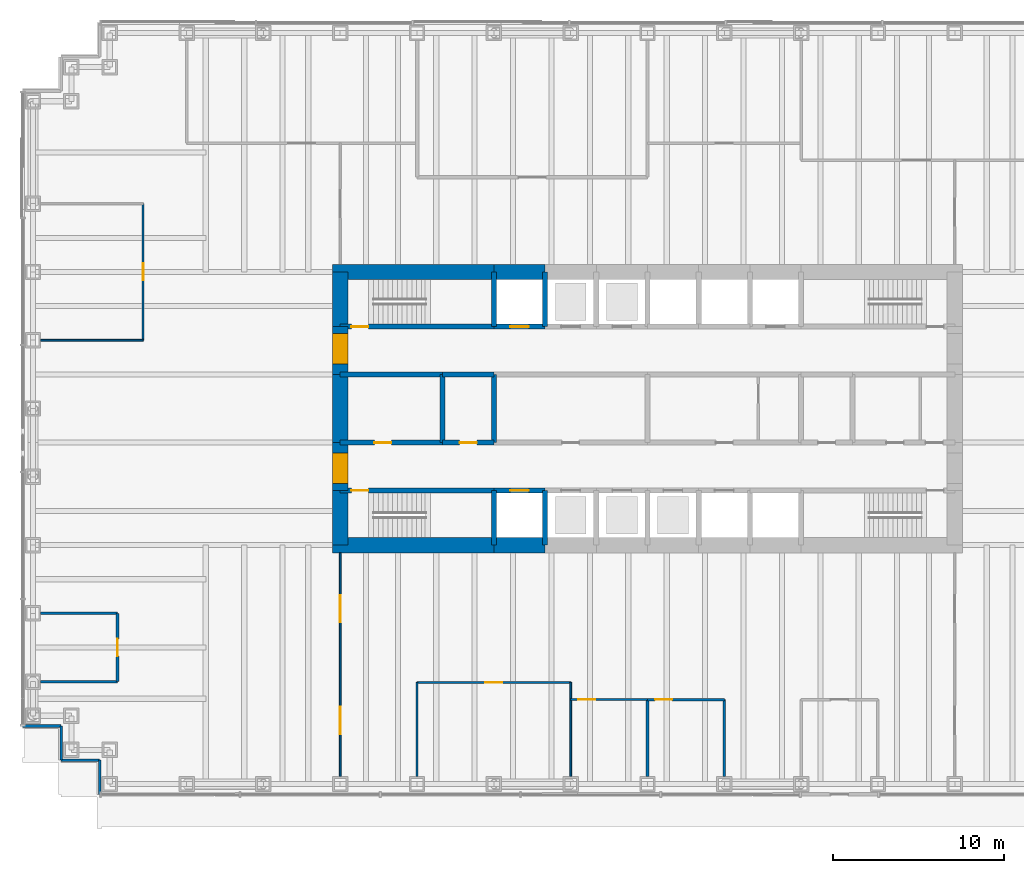
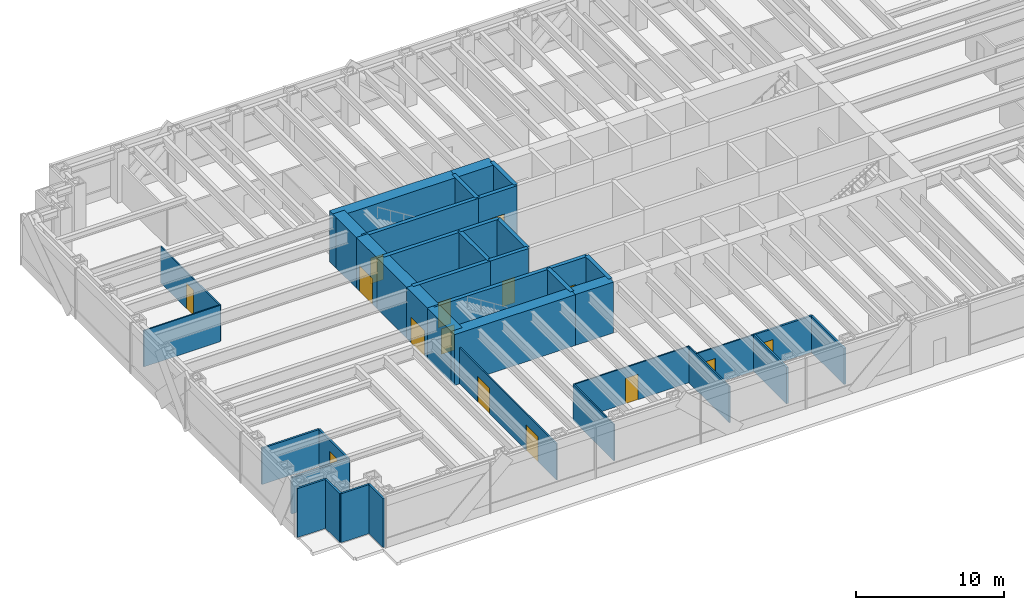
# One storey, part 9 of 14: 40 walls, 15 doors, 15 openings.
"""IFC4 building model written with IfcOpenShell, lengths in metres."""

from ifc_helpers import new_model, si_unit, direction, frame, frame_2d, origin, place, context, subcontext, project, spatial, rectangle, extrude, material, layer, layer_set, type_object, element, fill, save


model = new_model("IFC4")

# Units and contexts
model_context = context("Model", 3, precision=1e-05, world=origin(), true_north=direction((0.0, 1.0)))
body_context = subcontext(model_context, "Body", "Model", "MODEL_VIEW")
ifc_project = project(units=[si_unit("LENGTHUNIT", "METRE"), si_unit("AREAUNIT", "SQUARE_METRE"), si_unit("VOLUMEUNIT", "CUBIC_METRE"), si_unit("PLANEANGLEUNIT", "RADIAN"), si_unit("MASSUNIT", "GRAM", prefix="KILO")], contexts=[model_context])

# Site, building, storey
site_placement = place(None, origin())
site = spatial("IfcSite", under=ifc_project, at=site_placement, CompositionType="ELEMENT")
building_placement = place(site_placement, origin())
building = spatial("IfcBuilding", under=site, at=building_placement, Name="Rheinbord Bourse Tower", CompositionType="ELEMENT")
storey_placement = place(building_placement, frame((0.0, 0.0, 100.5)))
storey = spatial("IfcBuildingStorey", under=building, at=storey_placement, Name="L21", CompositionType="ELEMENT", Elevation=100.5)

# Wall, opening, door
ifc_material_1 = material(Name="Concrete C50/60", Category="concrete")
ifc_layer_1 = layer(ifc_material_1, 0.300048828125)
ifc_layer_set_1 = layer_set([ifc_layer_1], Name="CORE INNER WALL 300")
wall_type_1 = type_object("IfcWallType", Name="CORE INNER WALL 300", PredefinedType="SOLIDWALL", material=ifc_layer_set_1)
wall_1_placement = place(storey_placement, frame((18.0, 19.199951171875, 0.0), z_axis=(0.0, 0.0, 1.0), x_axis=(1.0, 0.0, 0.0)))
wall_1 = element("IfcWall", 1, at=wall_1_placement, inside=storey, type_object=wall_type_1, Name="Core wall A1 L21", PredefinedType="SOLIDWALL", context=body_context, shape_type="SweptSolid", body=[
    extrude(rectangle(XDim=9.0, YDim=0.300048828125, at=frame_2d((4.5, 0.0))), origin(), (0.0, 0.0, 1.0), 4.199951171875),
])
opening_1_placement = place(wall_1_placement, frame((0.64990234375, 0.0, 0.0)))
opening_1 = element("IfcOpeningElement", 2, at=opening_1_placement, cuts=wall_1, Name="Opening 2110", PredefinedType="OPENING", context=body_context, shape_type="SweptSolid", body=[
    extrude(rectangle(XDim=1.0, YDim=2.10009765625, at=frame_2d((0.5, 1.050048828125))), frame((0.0, 0.159912109375, 0.0), z_axis=(0.0, -1.0, 0.0), x_axis=(1.0, 0.0, 0.0)), (0.0, 0.0, 1.0), 0.320068359375),
])
ifc_material_2 = material(Name="Steel door", Category="steel")
door_type_1 = type_object("IfcDoorType", Name="DOOR 1000 EI30", OperationType="SINGLE_SWING_LEFT", PredefinedType="DOOR", material=ifc_material_2)
door_1_placement = place(opening_1_placement, origin())
door_1 = element("IfcDoor", 3, at=door_1_placement, inside=storey, type_object=door_type_1, Name="Stair door ST1 L21", OperationType="SINGLE_SWING_LEFT", OverallHeight=2.10009765625, OverallWidth=1.0, PredefinedType="DOOR", context=body_context, shape_type="SweptSolid", body=[
    extrude(rectangle(XDim=1.0, YDim=2.10009765625, at=frame_2d((0.5, 1.050048828125))), frame((0.0, 0.02490234375, 0.0), z_axis=(0.0, -1.0, 0.0), x_axis=(1.0, 0.0, 0.0)), (0.0, 0.0, 1.0), 0.050048828125),
])
fill(opening_1, door_1)

wall_2_placement = place(storey_placement, frame((27.0, 19.199951171875, 0.0), z_axis=(0.0, 0.0, 1.0), x_axis=(1.0, 0.0, 0.0)))
wall_2 = element("IfcWall", 4, at=wall_2_placement, inside=storey, type_object=wall_type_1, Name="Core wall A2 L21", PredefinedType="SOLIDWALL", context=body_context, shape_type="SweptSolid", body=[
    extrude(rectangle(XDim=3.0, YDim=0.300048828125, at=frame_2d((1.5, 0.0))), origin(), (0.0, 0.0, 1.0), 4.199951171875),
])
opening_2_placement = place(wall_2_placement, frame((0.949951171875, 0.0, 0.0)))
opening_2 = element("IfcOpeningElement", 5, at=opening_2_placement, cuts=wall_2, Name="Opening FL1", PredefinedType="OPENING", context=body_context, shape_type="SweptSolid", body=[
    extrude(rectangle(XDim=1.10009765625, YDim=2.199951171875, at=frame_2d((0.550048828125, 1.10009765625))), frame((0.0, 0.159912109375, 0.0), z_axis=(0.0, -1.0, 0.0), x_axis=(1.0, 0.0, 0.0)), (0.0, 0.0, 1.0), 0.320068359375),
])
ifc_material_3 = material(Name="Steel landing door", Category="steel")
door_type_2 = type_object("IfcDoorType", Name="LIFT LANDING DOOR 1100", OperationType="DOUBLE_DOOR_SLIDING", PredefinedType="USERDEFINED", material=ifc_material_3)
door_2_placement = place(opening_2_placement, origin())
door_2 = element("IfcDoor", 6, at=door_2_placement, inside=storey, type_object=door_type_2, Name="Lift landing door FL1 L21", ObjectType="LIFT LANDING DOOR", OperationType="DOUBLE_DOOR_SLIDING", OverallHeight=2.199951171875, OverallWidth=1.10009765625, PredefinedType="USERDEFINED", context=body_context, shape_type="SweptSolid", body=[
    extrude(rectangle(XDim=1.10009765625, YDim=2.199951171875, at=frame_2d((0.550048828125, 1.10009765625))), frame((0.0, 0.02490234375, 0.0), z_axis=(0.0, -1.0, 0.0), x_axis=(1.0, 0.0, 0.0)), (0.0, 0.0, 1.0), 0.050048828125),
])
fill(opening_2, door_2)

wall_3_placement = place(storey_placement, frame((18.0, 28.800048828125, 0.0), z_axis=(0.0, 0.0, 1.0), x_axis=(1.0, 0.0, 0.0)))
wall_3 = element("IfcWall", 7, at=wall_3_placement, inside=storey, type_object=wall_type_1, Name="Core wall B1 L21", PredefinedType="SOLIDWALL", context=body_context, shape_type="SweptSolid", body=[
    extrude(rectangle(XDim=9.0, YDim=0.300048828125, at=frame_2d((4.5, 0.0))), origin(), (0.0, 0.0, 1.0), 4.199951171875),
])
opening_3_placement = place(wall_3_placement, frame((0.64990234375, 0.0, 0.0)))
opening_3 = element("IfcOpeningElement", 8, at=opening_3_placement, cuts=wall_3, Name="Opening 2120", PredefinedType="OPENING", context=body_context, shape_type="SweptSolid", body=[
    extrude(rectangle(XDim=1.0, YDim=2.10009765625, at=frame_2d((0.5, 1.050048828125))), frame((0.0, 0.159912109375, 0.0), z_axis=(0.0, -1.0, 0.0), x_axis=(1.0, 0.0, 0.0)), (0.0, 0.0, 1.0), 0.320068359375),
])
door_3_placement = place(opening_3_placement, origin())
door_3 = element("IfcDoor", 9, at=door_3_placement, inside=storey, type_object=door_type_1, Name="Stair door ST2 L21", OperationType="SINGLE_SWING_LEFT", OverallHeight=2.10009765625, OverallWidth=1.0, PredefinedType="DOOR", context=body_context, shape_type="SweptSolid", body=[
    extrude(rectangle(XDim=1.0, YDim=2.10009765625, at=frame_2d((0.5, 1.050048828125))), frame((0.0, 0.02490234375, 0.0), z_axis=(0.0, -1.0, 0.0), x_axis=(1.0, 0.0, 0.0)), (0.0, 0.0, 1.0), 0.050048828125),
])
fill(opening_3, door_3)

wall_4_placement = place(storey_placement, frame((27.0, 28.800048828125, 0.0), z_axis=(0.0, 0.0, 1.0), x_axis=(1.0, 0.0, 0.0)))
wall_4 = element("IfcWall", 10, at=wall_4_placement, inside=storey, type_object=wall_type_1, Name="Core wall B2 L21", PredefinedType="SOLIDWALL", context=body_context, shape_type="SweptSolid", body=[
    extrude(rectangle(XDim=3.0, YDim=0.300048828125, at=frame_2d((1.5, 0.0))), origin(), (0.0, 0.0, 1.0), 4.199951171875),
])
opening_4_placement = place(wall_4_placement, frame((0.949951171875, 0.0, 0.0)))
opening_4 = element("IfcOpeningElement", 11, at=opening_4_placement, cuts=wall_4, Name="Opening GL1", PredefinedType="OPENING", context=body_context, shape_type="SweptSolid", body=[
    extrude(rectangle(XDim=1.10009765625, YDim=2.199951171875, at=frame_2d((0.550048828125, 1.10009765625))), frame((0.0, 0.159912109375, 0.0), z_axis=(0.0, -1.0, 0.0), x_axis=(1.0, 0.0, 0.0)), (0.0, 0.0, 1.0), 0.320068359375),
])
door_4_placement = place(opening_4_placement, origin())
door_4 = element("IfcDoor", 12, at=door_4_placement, inside=storey, type_object=door_type_2, Name="Lift landing door GL1 L21", ObjectType="LIFT LANDING DOOR", OperationType="DOUBLE_DOOR_SLIDING", OverallHeight=2.199951171875, OverallWidth=1.10009765625, PredefinedType="USERDEFINED", context=body_context, shape_type="SweptSolid", body=[
    extrude(rectangle(XDim=1.10009765625, YDim=2.199951171875, at=frame_2d((0.550048828125, 1.10009765625))), frame((0.0, 0.02490234375, 0.0), z_axis=(0.0, -1.0, 0.0), x_axis=(1.0, 0.0, 0.0)), (0.0, 0.0, 1.0), 0.050048828125),
])
fill(opening_4, door_4)

wall_5_placement = place(storey_placement, frame((18.0, 22.0, 0.0), z_axis=(0.0, 0.0, 1.0), x_axis=(1.0, 0.0, 0.0)))
wall_5 = element("IfcWall", 13, at=wall_5_placement, inside=storey, type_object=wall_type_1, Name="Core wall C1 L21", PredefinedType="SOLIDWALL", context=body_context, shape_type="SweptSolid", body=[
    extrude(rectangle(XDim=6.0, YDim=0.300048828125, at=frame_2d((3.0, 0.0))), origin(), (0.0, 0.0, 1.0), 4.199951171875),
])
opening_5_placement = place(wall_5_placement, frame((2.0, 0.0, 0.0)))
opening_5 = element("IfcOpeningElement", 14, at=opening_5_placement, cuts=wall_5, Name="Opening 21R1", PredefinedType="OPENING", context=body_context, shape_type="SweptSolid", body=[
    extrude(rectangle(XDim=1.0, YDim=2.10009765625, at=frame_2d((0.5, 1.050048828125))), frame((0.0, 0.159912109375, 0.0), z_axis=(0.0, -1.0, 0.0), x_axis=(1.0, 0.0, 0.0)), (0.0, 0.0, 1.0), 0.320068359375),
])
ifc_material_4 = material(Name="Timber door", Category="wood")
door_type_3 = type_object("IfcDoorType", Name="DOOR 1000 WC", OperationType="SINGLE_SWING_LEFT", PredefinedType="DOOR", material=ifc_material_4)
door_5_placement = place(opening_5_placement, origin())
door_5 = element("IfcDoor", 15, at=door_5_placement, inside=storey, type_object=door_type_3, Name="WC men door L21", OperationType="SINGLE_SWING_LEFT", OverallHeight=2.10009765625, OverallWidth=1.0, PredefinedType="DOOR", context=body_context, shape_type="SweptSolid", body=[
    extrude(rectangle(XDim=1.0, YDim=2.10009765625, at=frame_2d((0.5, 1.050048828125))), frame((0.0, 0.02490234375, 0.0), z_axis=(0.0, -1.0, 0.0), x_axis=(1.0, 0.0, 0.0)), (0.0, 0.0, 1.0), 0.050048828125),
])
fill(opening_5, door_5)

wall_6_placement = place(storey_placement, frame((24.0, 22.0, 0.0), z_axis=(0.0, 0.0, 1.0), x_axis=(1.0, 0.0, 0.0)))
wall_6 = element("IfcWall", 16, at=wall_6_placement, inside=storey, type_object=wall_type_1, Name="Core wall C2 L21", PredefinedType="SOLIDWALL", context=body_context, shape_type="SweptSolid", body=[
    extrude(rectangle(XDim=3.0, YDim=0.300048828125, at=frame_2d((1.5, 0.0))), origin(), (0.0, 0.0, 1.0), 4.199951171875),
])
opening_6_placement = place(wall_6_placement, frame((1.0, 0.0, 0.0)))
opening_6 = element("IfcOpeningElement", 17, at=opening_6_placement, cuts=wall_6, Name="Opening 21R2", PredefinedType="OPENING", context=body_context, shape_type="SweptSolid", body=[
    extrude(rectangle(XDim=1.0, YDim=2.10009765625, at=frame_2d((0.5, 1.050048828125))), frame((0.0, 0.159912109375, 0.0), z_axis=(0.0, -1.0, 0.0), x_axis=(1.0, 0.0, 0.0)), (0.0, 0.0, 1.0), 0.320068359375),
])
door_6_placement = place(opening_6_placement, origin())
door_6 = element("IfcDoor", 18, at=door_6_placement, inside=storey, type_object=door_type_3, Name="Accessible WC door L21", OperationType="SINGLE_SWING_LEFT", OverallHeight=2.10009765625, OverallWidth=1.0, PredefinedType="DOOR", context=body_context, shape_type="SweptSolid", body=[
    extrude(rectangle(XDim=1.0, YDim=2.10009765625, at=frame_2d((0.5, 1.050048828125))), frame((0.0, 0.02490234375, 0.0), z_axis=(0.0, -1.0, 0.0), x_axis=(1.0, 0.0, 0.0)), (0.0, 0.0, 1.0), 0.050048828125),
])
fill(opening_6, door_6)

# Walls
wall_7_placement = place(storey_placement, frame((18.0, 26.0, 0.0), z_axis=(0.0, 0.0, 1.0), x_axis=(1.0, 0.0, 0.0)))
element("IfcWall", 19, at=wall_7_placement, inside=storey, type_object=wall_type_1, Name="Core wall D1 L21", PredefinedType="SOLIDWALL", context=body_context, shape_type="SweptSolid", body=[
    extrude(rectangle(XDim=6.0, YDim=0.300048828125, at=frame_2d((3.0, 0.0))), origin(), (0.0, 0.0, 1.0), 4.199951171875),
])
wall_8_placement = place(storey_placement, frame((24.0, 26.0, 0.0), z_axis=(0.0, 0.0, 1.0), x_axis=(1.0, 0.0, 0.0)))
element("IfcWall", 20, at=wall_8_placement, inside=storey, type_object=wall_type_1, Name="Core wall D2 L21", PredefinedType="SOLIDWALL", context=body_context, shape_type="SweptSolid", body=[
    extrude(rectangle(XDim=3.0, YDim=0.300048828125, at=frame_2d((1.5, 0.0))), origin(), (0.0, 0.0, 1.0), 4.199951171875),
])
for number, where, z_axis, x_axis, name in (
    (21, (27.0, 16.0, 0.0), (0.0, 0.0, 1.0), (0.0, 1.0, 0.0), "Core wall SX27 L21"),
    (22, (27.0, 28.800048828125, 0.0), (0.0, 0.0, 1.0), (0.0, 1.0, 0.0), "Core wall NX27 L21"),
    (23, (30.0, 16.0, 0.0), (0.0, 0.0, 1.0), (0.0, 1.0, 0.0), "Core wall SX30 L21"),
    (24, (30.0, 28.800048828125, 0.0), (0.0, 0.0, 1.0), (0.0, 1.0, 0.0), "Core wall NX30 L21"),
):
    element("IfcWall", number, at=place(storey_placement, frame(where, z_axis=z_axis, x_axis=x_axis)), inside=storey, type_object=wall_type_1, Name=name, PredefinedType="SOLIDWALL", context=body_context, shape_type="SweptSolid", body=[
        extrude(rectangle(XDim=3.199951171875, YDim=0.300048828125, at=frame_2d((1.60009765625, 0.0))), origin(), (0.0, 0.0, 1.0), 4.199951171875),
    ])
for number, where, z_axis, x_axis, name in (
    (25, (24.0, 22.0, 0.0), (0.0, 0.0, 1.0), (0.0, 1.0, 0.0), "Core wall MX24 L21"),
    (26, (27.0, 22.0, 0.0), (0.0, 0.0, 1.0), (0.0, 1.0, 0.0), "Core wall MX27 L21"),
):
    element("IfcWall", number, at=place(storey_placement, frame(where, z_axis=z_axis, x_axis=x_axis)), inside=storey, type_object=wall_type_1, Name=name, PredefinedType="SOLIDWALL", context=body_context, shape_type="SweptSolid", body=[
        extrude(rectangle(XDim=4.0, YDim=0.300048828125, at=frame_2d((2.0, 0.0))), origin(), (0.0, 0.0, 1.0), 4.199951171875),
    ])
ifc_material_5 = material(Name="Concrete C50/60", Category="concrete")
ifc_layer_2 = layer(ifc_material_5, 0.89990234375)
ifc_layer_set_2 = layer_set([ifc_layer_2], Name="CORE WALL 900")
wall_type_2 = type_object("IfcWallType", Name="CORE WALL 900", PredefinedType="SHEAR", material=ifc_layer_set_2)
wall_9_placement = place(storey_placement, frame((17.550048828125, 16.0, 0.0), z_axis=(0.0, 0.0, 1.0), x_axis=(1.0, 0.0, 0.0)))
element("IfcWall", 27, at=wall_9_placement, inside=storey, type_object=wall_type_2, Name="Core wall S1 L21", PredefinedType="SHEAR", context=body_context, shape_type="SweptSolid", body=[
    extrude(rectangle(XDim=9.449951171875, YDim=0.89990234375, at=frame_2d((4.72509765625, 0.0))), origin(), (0.0, 0.0, 1.0), 4.199951171875),
])
for number, where, z_axis, x_axis, name in (
    (28, (27.0, 16.0, 0.0), (0.0, 0.0, 1.0), (1.0, 0.0, 0.0), "Core wall S2 L21"),
    (29, (30.0, 32.0, 0.0), (0.0, 0.0, 1.0), (-1.0, 0.0, 0.0), "Core wall N7 L21"),
):
    element("IfcWall", number, at=place(storey_placement, frame(where, z_axis=z_axis, x_axis=x_axis)), inside=storey, type_object=wall_type_2, Name=name, PredefinedType="SHEAR", context=body_context, shape_type="SweptSolid", body=[
        extrude(rectangle(XDim=3.0, YDim=0.89990234375, at=frame_2d((1.5, 0.0))), origin(), (0.0, 0.0, 1.0), 4.199951171875),
    ])
wall_10_placement = place(storey_placement, frame((27.0, 32.0, 0.0), z_axis=(0.0, 0.0, 1.0), x_axis=(-1.0, 0.0, 0.0)))
element("IfcWall", 30, at=wall_10_placement, inside=storey, type_object=wall_type_2, Name="Core wall N8 L21", PredefinedType="SHEAR", context=body_context, shape_type="SweptSolid", body=[
    extrude(rectangle(XDim=9.449951171875, YDim=0.89990234375, at=frame_2d((4.72509765625, 0.0))), origin(), (0.0, 0.0, 1.0), 4.199951171875),
])
wall_11_placement = place(storey_placement, frame((18.0, 32.0, 0.0), z_axis=(0.0, 0.0, 1.0), x_axis=(0.0, -1.0, 0.0)))
element("IfcWall", 31, at=wall_11_placement, inside=storey, type_object=wall_type_2, Name="Core wall W1 L21", PredefinedType="SHEAR", context=body_context, shape_type="SweptSolid", body=[
    extrude(rectangle(XDim=3.199951171875, YDim=0.89990234375, at=frame_2d((1.60009765625, 0.0))), origin(), (0.0, 0.0, 1.0), 4.199951171875),
])

# Wall, opening, door
wall_12_placement = place(storey_placement, frame((18.0, 28.800048828125, 0.0), z_axis=(0.0, 0.0, 1.0), x_axis=(0.0, -1.0, 0.0)))
wall_12 = element("IfcWall", 32, at=wall_12_placement, inside=storey, type_object=wall_type_2, Name="Core wall W2 L21", PredefinedType="SHEAR", context=body_context, shape_type="SweptSolid", body=[
    extrude(rectangle(XDim=2.800048828125, YDim=0.89990234375, at=frame_2d((1.39990234375, 0.0))), origin(), (0.0, 0.0, 1.0), 4.199951171875),
])
opening_7_placement = place(wall_12_placement, frame((0.39990234375, 0.0, 0.0)))
opening_7 = element("IfcOpeningElement", 33, at=opening_7_placement, cuts=wall_12, Name="Opening 21L2", PredefinedType="OPENING", context=body_context, shape_type="SweptSolid", body=[
    extrude(rectangle(XDim=1.800048828125, YDim=2.10009765625, at=frame_2d((0.89990234375, 1.050048828125))), frame((0.0, 0.4599609375, 0.0), z_axis=(0.0, -1.0, 0.0), x_axis=(1.0, 0.0, 0.0)), (0.0, 0.0, 1.0), 0.919921875),
])
ifc_material_6 = material(Name="Steel door", Category="steel")
door_type_4 = type_object("IfcDoorType", Name="DOOR 1800 EI30 DOUBLE", OperationType="DOUBLE_DOOR_DOUBLE_SWING", PredefinedType="DOOR", material=ifc_material_6)
door_7_placement = place(opening_7_placement, origin())
door_7 = element("IfcDoor", 34, at=door_7_placement, inside=storey, type_object=door_type_4, Name="Lobby door 2 L21", OperationType="SINGLE_SWING_LEFT", OverallHeight=2.10009765625, OverallWidth=1.800048828125, PredefinedType="DOOR", context=body_context, shape_type="SweptSolid", body=[
    extrude(rectangle(XDim=1.800048828125, YDim=2.10009765625, at=frame_2d((0.89990234375, 1.050048828125))), frame((0.0, 0.44970703125, 0.0), z_axis=(0.0, -1.0, 0.0), x_axis=(1.0, 0.0, 0.0)), (0.0, 0.0, 1.0), 0.8994140625),
])
fill(opening_7, door_7)

# Wall
wall_13_placement = place(storey_placement, frame((18.0, 26.0, 0.0), z_axis=(0.0, 0.0, 1.0), x_axis=(0.0, -1.0, 0.0)))
element("IfcWall", 35, at=wall_13_placement, inside=storey, type_object=wall_type_2, Name="Core wall W3 L21", PredefinedType="SHEAR", context=body_context, shape_type="SweptSolid", body=[
    extrude(rectangle(XDim=4.0, YDim=0.89990234375, at=frame_2d((2.0, 0.0))), origin(), (0.0, 0.0, 1.0), 4.199951171875),
])

# Wall, opening, door
wall_14_placement = place(storey_placement, frame((18.0, 22.0, 0.0), z_axis=(0.0, 0.0, 1.0), x_axis=(0.0, -1.0, 0.0)))
wall_14 = element("IfcWall", 36, at=wall_14_placement, inside=storey, type_object=wall_type_2, Name="Core wall W4 L21", PredefinedType="SHEAR", context=body_context, shape_type="SweptSolid", body=[
    extrude(rectangle(XDim=2.800048828125, YDim=0.89990234375, at=frame_2d((1.39990234375, 0.0))), origin(), (0.0, 0.0, 1.0), 4.199951171875),
])
opening_8_placement = place(wall_14_placement, frame((0.60009765625, 0.0, 0.0)))
opening_8 = element("IfcOpeningElement", 37, at=opening_8_placement, cuts=wall_14, Name="Opening 21L1", PredefinedType="OPENING", context=body_context, shape_type="SweptSolid", body=[
    extrude(rectangle(XDim=1.800048828125, YDim=2.10009765625, at=frame_2d((0.89990234375, 1.050048828125))), frame((0.0, 0.4599609375, 0.0), z_axis=(0.0, -1.0, 0.0), x_axis=(1.0, 0.0, 0.0)), (0.0, 0.0, 1.0), 0.919921875),
])
door_8_placement = place(opening_8_placement, origin())
door_8 = element("IfcDoor", 38, at=door_8_placement, inside=storey, type_object=door_type_4, Name="Lobby door 1 L21", OperationType="SINGLE_SWING_LEFT", OverallHeight=2.10009765625, OverallWidth=1.800048828125, PredefinedType="DOOR", context=body_context, shape_type="SweptSolid", body=[
    extrude(rectangle(XDim=1.800048828125, YDim=2.10009765625, at=frame_2d((0.89990234375, 1.050048828125))), frame((0.0, 0.44970703125, 0.0), z_axis=(0.0, -1.0, 0.0), x_axis=(1.0, 0.0, 0.0)), (0.0, 0.0, 1.0), 0.8994140625),
])
fill(opening_8, door_8)

# Walls
wall_15_placement = place(storey_placement, frame((18.0, 19.199951171875, 0.0), z_axis=(0.0, 0.0, 1.0), x_axis=(0.0, -1.0, 0.0)))
element("IfcWall", 39, at=wall_15_placement, inside=storey, type_object=wall_type_2, Name="Core wall W5 L21", PredefinedType="SHEAR", context=body_context, shape_type="SweptSolid", body=[
    extrude(rectangle(XDim=3.199951171875, YDim=0.89990234375, at=frame_2d((1.60009765625, 0.0))), origin(), (0.0, 0.0, 1.0), 4.199951171875),
])
ifc_material_7 = material(Name="Black metal rainscreen panel", Category="aluminium")
ifc_layer_3 = layer(ifc_material_7, 0.14990234375)
ifc_layer_set_3 = layer_set([ifc_layer_3], Name="CORNER PIER CLADDING 150")
wall_type_3 = type_object("IfcWallType", Name="CORNER PIER CLADDING 150", PredefinedType="ELEMENTEDWALL", material=ifc_layer_set_3)
wall_16_placement = place(storey_placement, frame((-0.60009765625, 5.39990234375, 0.0), z_axis=(0.0, 0.0, 1.0), x_axis=(1.0, 0.0, 0.0)))
element("IfcWall", 40, at=wall_16_placement, inside=storey, type_object=wall_type_3, Name="Corner pier cladding L21 19", PredefinedType="ELEMENTEDWALL", context=body_context, shape_type="SweptSolid", body=[
    extrude(rectangle(XDim=2.25, YDim=0.14990234375, at=frame_2d((1.125, 0.0))), origin(), (0.0, 0.0, 1.0), 4.0400390625),
])
wall_17_placement = place(storey_placement, frame((1.64990234375, 5.39990234375, 0.0), z_axis=(0.0, 0.0, 1.0), x_axis=(0.0, -1.0, 0.0)))
element("IfcWall", 41, at=wall_17_placement, inside=storey, type_object=wall_type_3, Name="Corner pier cladding L21 20", PredefinedType="ELEMENTEDWALL", context=body_context, shape_type="SweptSolid", body=[
    extrude(rectangle(XDim=2.0, YDim=0.14990234375, at=frame_2d((1.0, 0.0))), origin(), (0.0, 0.0, 1.0), 4.0400390625),
])
wall_18_placement = place(storey_placement, frame((1.64990234375, 3.39990234375, 0.0), z_axis=(0.0, 0.0, 1.0), x_axis=(1.0, 0.0, 0.0)))
element("IfcWall", 42, at=wall_18_placement, inside=storey, type_object=wall_type_3, Name="Corner pier cladding L21 21", PredefinedType="ELEMENTEDWALL", context=body_context, shape_type="SweptSolid", body=[
    extrude(rectangle(XDim=2.25, YDim=0.14990234375, at=frame_2d((1.125, 0.0))), origin(), (0.0, 0.0, 1.0), 4.0400390625),
])
wall_19_placement = place(storey_placement, frame((3.89990234375, 3.39990234375, 0.0), z_axis=(0.0, 0.0, 1.0), x_axis=(0.0, -1.0, 0.0)))
element("IfcWall", 43, at=wall_19_placement, inside=storey, type_object=wall_type_3, Name="Corner pier cladding L21 22", PredefinedType="ELEMENTEDWALL", context=body_context, shape_type="SweptSolid", body=[
    extrude(rectangle(XDim=2.0, YDim=0.14990234375, at=frame_2d((1.0, 0.0))), origin(), (0.0, 0.0, 1.0), 4.0400390625),
])

# Wall, opening, door
ifc_material_8 = material(Name="Toughened laminated glass partition", Category="glass")
ifc_layer_4 = layer(ifc_material_8, 0.10009765625)
ifc_layer_set_4 = layer_set([ifc_layer_4], Name="GLAZED PARTITION 100")
wall_type_4 = type_object("IfcWallType", Name="GLAZED PARTITION 100", PredefinedType="PARTITIONING", material=ifc_layer_set_4)
wall_20_placement = place(storey_placement, frame((31.5, 6.949951171875, 0.0), z_axis=(0.0, 0.0, 1.0), x_axis=(1.0, 0.0, 0.0)))
wall_20 = element("IfcWall", 44, at=wall_20_placement, inside=storey, type_object=wall_type_4, Name="Partition L21-01", PredefinedType="PARTITIONING", context=body_context, shape_type="SweptSolid", body=[
    extrude(rectangle(XDim=4.5, YDim=0.10009765625, at=frame_2d((2.25, 0.0))), origin(), (0.0, 0.0, 1.0), 3.0),
])
opening_9_placement = place(wall_20_placement, frame((0.449951171875, 0.0, 0.0)))
opening_9 = element("IfcOpeningElement", 45, at=opening_9_placement, cuts=wall_20, Name="Opening 21D01", PredefinedType="OPENING", context=body_context, shape_type="SweptSolid", body=[
    extrude(rectangle(XDim=1.0, YDim=2.10009765625, at=frame_2d((0.5, 1.050048828125))), frame((0.0, 0.06005859375, 0.0), z_axis=(0.0, -1.0, 0.0), x_axis=(1.0, 0.0, 0.0)), (0.0, 0.0, 1.0), 0.1201171875),
])
ifc_material_9 = material(Name="Timber door", Category="wood")
door_type_5 = type_object("IfcDoorType", Name="ROOM DOOR 1000", OperationType="SINGLE_SWING_LEFT", PredefinedType="DOOR", material=ifc_material_9)
door_9_placement = place(opening_9_placement, origin())
door_9 = element("IfcDoor", 46, at=door_9_placement, inside=storey, type_object=door_type_5, Name="Quiet room door L21", OperationType="SINGLE_SWING_LEFT", OverallHeight=2.10009765625, OverallWidth=1.0, PredefinedType="DOOR", context=body_context, shape_type="SweptSolid", body=[
    extrude(rectangle(XDim=1.0, YDim=2.10009765625, at=frame_2d((0.5, 1.050048828125))), frame((0.0, 0.02490234375, 0.0), z_axis=(0.0, -1.0, 0.0), x_axis=(1.0, 0.0, 0.0)), (0.0, 0.0, 1.0), 0.050048828125),
])
fill(opening_9, door_9)

wall_21_placement = place(storey_placement, frame((22.5, 7.949951171875, 0.0), z_axis=(0.0, 0.0, 1.0), x_axis=(1.0, 0.0, 0.0)))
wall_21 = element("IfcWall", 47, at=wall_21_placement, inside=storey, type_object=wall_type_4, Name="Partition L21-04", PredefinedType="PARTITIONING", context=body_context, shape_type="SweptSolid", body=[
    extrude(rectangle(XDim=9.0, YDim=0.10009765625, at=frame_2d((4.5, 0.0))), origin(), (0.0, 0.0, 1.0), 3.0),
])
opening_10_placement = place(wall_21_placement, frame((4.0, 0.0, 0.0)))
opening_10 = element("IfcOpeningElement", 48, at=opening_10_placement, cuts=wall_21, Name="Opening 21D04", PredefinedType="OPENING", context=body_context, shape_type="SweptSolid", body=[
    extrude(rectangle(XDim=1.0, YDim=2.10009765625, at=frame_2d((0.5, 1.050048828125))), frame((0.0, 0.06005859375, 0.0), z_axis=(0.0, -1.0, 0.0), x_axis=(1.0, 0.0, 0.0)), (0.0, 0.0, 1.0), 0.1201171875),
])
door_10_placement = place(opening_10_placement, origin())
door_10 = element("IfcDoor", 49, at=door_10_placement, inside=storey, type_object=door_type_5, Name="Business centre door L21", OperationType="SINGLE_SWING_LEFT", OverallHeight=2.10009765625, OverallWidth=1.0, PredefinedType="DOOR", context=body_context, shape_type="SweptSolid", body=[
    extrude(rectangle(XDim=1.0, YDim=2.10009765625, at=frame_2d((0.5, 1.050048828125))), frame((0.0, 0.02490234375, 0.0), z_axis=(0.0, -1.0, 0.0), x_axis=(1.0, 0.0, 0.0)), (0.0, 0.0, 1.0), 0.050048828125),
])
fill(opening_10, door_10)

# Wall
wall_22_placement = place(storey_placement, frame((0.449951171875, 28.0, 0.0), z_axis=(0.0, 0.0, 1.0), x_axis=(1.0, 0.0, 0.0)))
element("IfcWall", 50, at=wall_22_placement, inside=storey, type_object=wall_type_4, Name="Partition L21-09", PredefinedType="PARTITIONING", context=body_context, shape_type="SweptSolid", body=[
    extrude(rectangle(XDim=6.0, YDim=0.10009765625, at=frame_2d((3.0, 0.0))), origin(), (0.0, 0.0, 1.0), 3.0),
])

# Wall, opening, door
wall_23_placement = place(storey_placement, frame((6.449951171875, 28.0, 0.0), z_axis=(0.0, 0.0, 1.0), x_axis=(0.0, 1.0, 0.0)))
wall_23 = element("IfcWall", 51, at=wall_23_placement, inside=storey, type_object=wall_type_4, Name="Partition L21-18", PredefinedType="PARTITIONING", context=body_context, shape_type="SweptSolid", body=[
    extrude(rectangle(XDim=8.0, YDim=0.10009765625, at=frame_2d((4.0, 0.0))), origin(), (0.0, 0.0, 1.0), 3.0),
])
opening_11_placement = place(wall_23_placement, frame((3.5, 0.0, 0.0)))
opening_11 = element("IfcOpeningElement", 52, at=opening_11_placement, cuts=wall_23, Name="Opening 21D08", PredefinedType="OPENING", context=body_context, shape_type="SweptSolid", body=[
    extrude(rectangle(XDim=1.0, YDim=2.10009765625, at=frame_2d((0.5, 1.050048828125))), frame((0.0, 0.06005859375, 0.0), z_axis=(0.0, -1.0, 0.0), x_axis=(1.0, 0.0, 0.0)), (0.0, 0.0, 1.0), 0.1201171875),
])
door_11_placement = place(opening_11_placement, origin())
door_11 = element("IfcDoor", 53, at=door_11_placement, inside=storey, type_object=door_type_5, Name="Business centre door L21", OperationType="SINGLE_SWING_LEFT", OverallHeight=2.10009765625, OverallWidth=1.0, PredefinedType="DOOR", context=body_context, shape_type="SweptSolid", body=[
    extrude(rectangle(XDim=1.0, YDim=2.10009765625, at=frame_2d((0.5, 1.050048828125))), frame((0.0, 0.02490234375, 0.0), z_axis=(0.0, -1.0, 0.0), x_axis=(1.0, 0.0, 0.0)), (0.0, 0.0, 1.0), 0.050048828125),
])
fill(opening_11, door_11)

# Wall, openings, doors
wall_24_placement = place(storey_placement, frame((18.0, 2.449951171875, 0.0), z_axis=(0.0, 0.0, 1.0), x_axis=(0.0, 1.0, 0.0)))
wall_24 = element("IfcWall", 54, at=wall_24_placement, inside=storey, type_object=wall_type_4, Name="Partition L21-20", PredefinedType="PARTITIONING", context=body_context, shape_type="SweptSolid", body=[
    extrude(rectangle(XDim=13.10009765625, YDim=0.10009765625, at=frame_2d((6.550048828125, 0.0))), origin(), (0.0, 0.0, 1.0), 3.0),
])
opening_12_placement = place(wall_24_placement, frame((2.47509765625, 0.0, 0.0)))
opening_12 = element("IfcOpeningElement", 55, at=opening_12_placement, cuts=wall_24, Name="Opening 21D13", PredefinedType="OPENING", context=body_context, shape_type="SweptSolid", body=[
    extrude(rectangle(XDim=1.60009765625, YDim=2.10009765625, at=frame_2d((0.800048828125, 1.050048828125))), frame((0.0, 0.06005859375, 0.0), z_axis=(0.0, -1.0, 0.0), x_axis=(1.0, 0.0, 0.0)), (0.0, 0.0, 1.0), 0.1201171875),
])
opening_13_placement = place(wall_24_placement, frame((9.02490234375, 0.0, 0.0)))
opening_13 = element("IfcOpeningElement", 56, at=opening_13_placement, cuts=wall_24, Name="Opening 21D14", PredefinedType="OPENING", context=body_context, shape_type="SweptSolid", body=[
    extrude(rectangle(XDim=1.60009765625, YDim=2.10009765625, at=frame_2d((0.800048828125, 1.050048828125))), frame((0.0, 0.06005859375, 0.0), z_axis=(0.0, -1.0, 0.0), x_axis=(1.0, 0.0, 0.0)), (0.0, 0.0, 1.0), 0.1201171875),
])
ifc_material_10 = material(Name="Timber door", Category="wood")
door_type_6 = type_object("IfcDoorType", Name="DOUBLE ROOM DOOR 1600", OperationType="DOUBLE_DOOR_DOUBLE_SWING", PredefinedType="DOOR", material=ifc_material_10)
door_12_placement = place(opening_12_placement, origin())
door_12 = element("IfcDoor", 57, at=door_12_placement, inside=storey, type_object=door_type_6, Name="Open area door L21", OperationType="SINGLE_SWING_LEFT", OverallHeight=2.10009765625, OverallWidth=1.60009765625, PredefinedType="DOOR", context=body_context, shape_type="SweptSolid", body=[
    extrude(rectangle(XDim=1.60009765625, YDim=2.10009765625, at=frame_2d((0.800048828125, 1.050048828125))), frame((0.0, 0.02490234375, 0.0), z_axis=(0.0, -1.0, 0.0), x_axis=(1.0, 0.0, 0.0)), (0.0, 0.0, 1.0), 0.050048828125),
])
fill(opening_12, door_12)
door_13_placement = place(opening_13_placement, origin())
door_13 = element("IfcDoor", 58, at=door_13_placement, inside=storey, type_object=door_type_6, Name="Open area door L21", OperationType="SINGLE_SWING_LEFT", OverallHeight=2.10009765625, OverallWidth=1.60009765625, PredefinedType="DOOR", context=body_context, shape_type="SweptSolid", body=[
    extrude(rectangle(XDim=1.60009765625, YDim=2.10009765625, at=frame_2d((0.800048828125, 1.050048828125))), frame((0.0, 0.02490234375, 0.0), z_axis=(0.0, -1.0, 0.0), x_axis=(1.0, 0.0, 0.0)), (0.0, 0.0, 1.0), 0.050048828125),
])
fill(opening_13, door_13)

# Walls
for number, where, z_axis, x_axis, name in (
    (59, (22.5, 2.449951171875, 0.0), (0.0, 0.0, 1.0), (0.0, 1.0, 0.0), "Partition L21-22"),
    (60, (31.5, 2.449951171875, 0.0), (0.0, 0.0, 1.0), (0.0, 1.0, 0.0), "Partition L21-24"),
):
    element("IfcWall", number, at=place(storey_placement, frame(where, z_axis=z_axis, x_axis=x_axis)), inside=storey, type_object=wall_type_4, Name=name, PredefinedType="PARTITIONING", context=body_context, shape_type="SweptSolid", body=[
        extrude(rectangle(XDim=5.5, YDim=0.10009765625, at=frame_2d((2.75, 0.0))), origin(), (0.0, 0.0, 1.0), 3.0),
    ])

# Wall, opening, door
ifc_material_11 = material(Name="Gypsum board partition", Category="gypsum board")
ifc_layer_5 = layer(ifc_material_11, 0.14990234375)
ifc_layer_set_5 = layer_set([ifc_layer_5], Name="PARTITION 150")
wall_type_5 = type_object("IfcWallType", Name="PARTITION 150", PredefinedType="PARTITIONING", material=ifc_layer_set_5)
wall_25_placement = place(storey_placement, frame((36.0, 6.949951171875, 0.0), z_axis=(0.0, 0.0, 1.0), x_axis=(1.0, 0.0, 0.0)))
wall_25 = element("IfcWall", 61, at=wall_25_placement, inside=storey, type_object=wall_type_5, Name="Partition L21-02", PredefinedType="PARTITIONING", context=body_context, shape_type="SweptSolid", body=[
    extrude(rectangle(XDim=4.5, YDim=0.14990234375, at=frame_2d((2.25, 0.0))), origin(), (0.0, 0.0, 1.0), 3.0),
])
opening_14_placement = place(wall_25_placement, frame((0.449951171875, 0.0, 0.0)))
opening_14 = element("IfcOpeningElement", 62, at=opening_14_placement, cuts=wall_25, Name="Opening 21D02", PredefinedType="OPENING", context=body_context, shape_type="SweptSolid", body=[
    extrude(rectangle(XDim=1.0, YDim=2.10009765625, at=frame_2d((0.5, 1.050048828125))), frame((0.0, 0.0849609375, 0.0), z_axis=(0.0, -1.0, 0.0), x_axis=(1.0, 0.0, 0.0)), (0.0, 0.0, 1.0), 0.169921875),
])
door_14_placement = place(opening_14_placement, origin())
door_14 = element("IfcDoor", 63, at=door_14_placement, inside=storey, type_object=door_type_5, Name="First aid room door L21", OperationType="SINGLE_SWING_LEFT", OverallHeight=2.10009765625, OverallWidth=1.0, PredefinedType="DOOR", context=body_context, shape_type="SweptSolid", body=[
    extrude(rectangle(XDim=1.0, YDim=2.10009765625, at=frame_2d((0.5, 1.050048828125))), frame((0.0, 0.02490234375, 0.0), z_axis=(0.0, -1.0, 0.0), x_axis=(1.0, 0.0, 0.0)), (0.0, 0.0, 1.0), 0.050048828125),
])
fill(opening_14, door_14)

# Walls
for number, where, z_axis, x_axis, name in (
    (64, (0.449951171875, 8.0, 0.0), (0.0, 0.0, 1.0), (1.0, 0.0, 0.0), "Partition L21-05"),
    (65, (0.449951171875, 12.0, 0.0), (0.0, 0.0, 1.0), (1.0, 0.0, 0.0), "Partition L21-06"),
):
    element("IfcWall", number, at=place(storey_placement, frame(where, z_axis=z_axis, x_axis=x_axis)), inside=storey, type_object=wall_type_5, Name=name, PredefinedType="PARTITIONING", context=body_context, shape_type="SweptSolid", body=[
        extrude(rectangle(XDim=4.5, YDim=0.14990234375, at=frame_2d((2.25, 0.0))), origin(), (0.0, 0.0, 1.0), 3.0),
    ])

# Wall, opening, door
wall_26_placement = place(storey_placement, frame((4.949951171875, 8.0, 0.0), z_axis=(0.0, 0.0, 1.0), x_axis=(0.0, 1.0, 0.0)))
wall_26 = element("IfcWall", 66, at=wall_26_placement, inside=storey, type_object=wall_type_5, Name="Partition L21-17", PredefinedType="PARTITIONING", context=body_context, shape_type="SweptSolid", body=[
    extrude(rectangle(XDim=4.0, YDim=0.14990234375, at=frame_2d((2.0, 0.0))), origin(), (0.0, 0.0, 1.0), 3.0),
])
opening_15_placement = place(wall_26_placement, frame((1.5, 0.0, 0.0)))
opening_15 = element("IfcOpeningElement", 67, at=opening_15_placement, cuts=wall_26, Name="Opening 21D05", PredefinedType="OPENING", context=body_context, shape_type="SweptSolid", body=[
    extrude(rectangle(XDim=1.0, YDim=2.10009765625, at=frame_2d((0.5, 1.050048828125))), frame((0.0, 0.0849609375, 0.0), z_axis=(0.0, -1.0, 0.0), x_axis=(1.0, 0.0, 0.0)), (0.0, 0.0, 1.0), 0.169921875),
])
door_15_placement = place(opening_15_placement, origin())
door_15 = element("IfcDoor", 68, at=door_15_placement, inside=storey, type_object=door_type_5, Name="Wellbeing room door L21", OperationType="SINGLE_SWING_LEFT", OverallHeight=2.10009765625, OverallWidth=1.0, PredefinedType="DOOR", context=body_context, shape_type="SweptSolid", body=[
    extrude(rectangle(XDim=1.0, YDim=2.10009765625, at=frame_2d((0.5, 1.050048828125))), frame((0.0, 0.02490234375, 0.0), z_axis=(0.0, -1.0, 0.0), x_axis=(1.0, 0.0, 0.0)), (0.0, 0.0, 1.0), 0.050048828125),
])
fill(opening_15, door_15)

# Walls
for number, where, z_axis, x_axis, name in (
    (69, (36.0, 2.449951171875, 0.0), (0.0, 0.0, 1.0), (0.0, 1.0, 0.0), "Partition L21-25"),
    (70, (40.5, 2.449951171875, 0.0), (0.0, 0.0, 1.0), (0.0, 1.0, 0.0), "Partition L21-27"),
):
    element("IfcWall", number, at=place(storey_placement, frame(where, z_axis=z_axis, x_axis=x_axis)), inside=storey, type_object=wall_type_5, Name=name, PredefinedType="PARTITIONING", context=body_context, shape_type="SweptSolid", body=[
        extrude(rectangle(XDim=4.5, YDim=0.14990234375, at=frame_2d((2.25, 0.0))), origin(), (0.0, 0.0, 1.0), 3.0),
    ])

save(model, "model.ifc")
